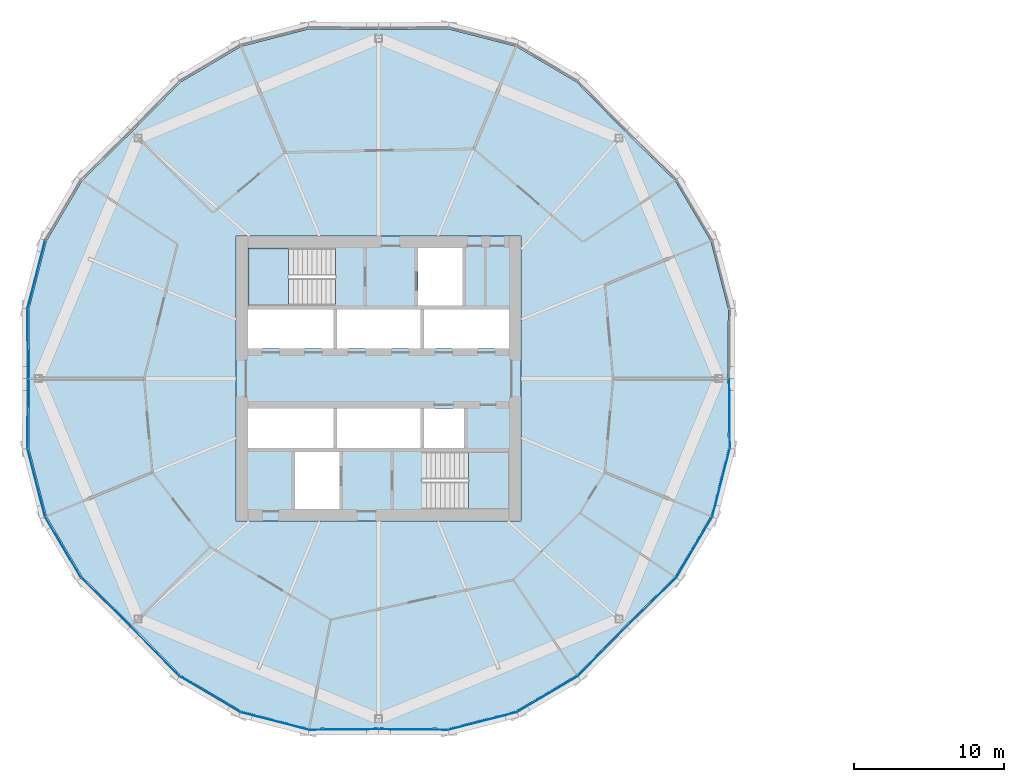
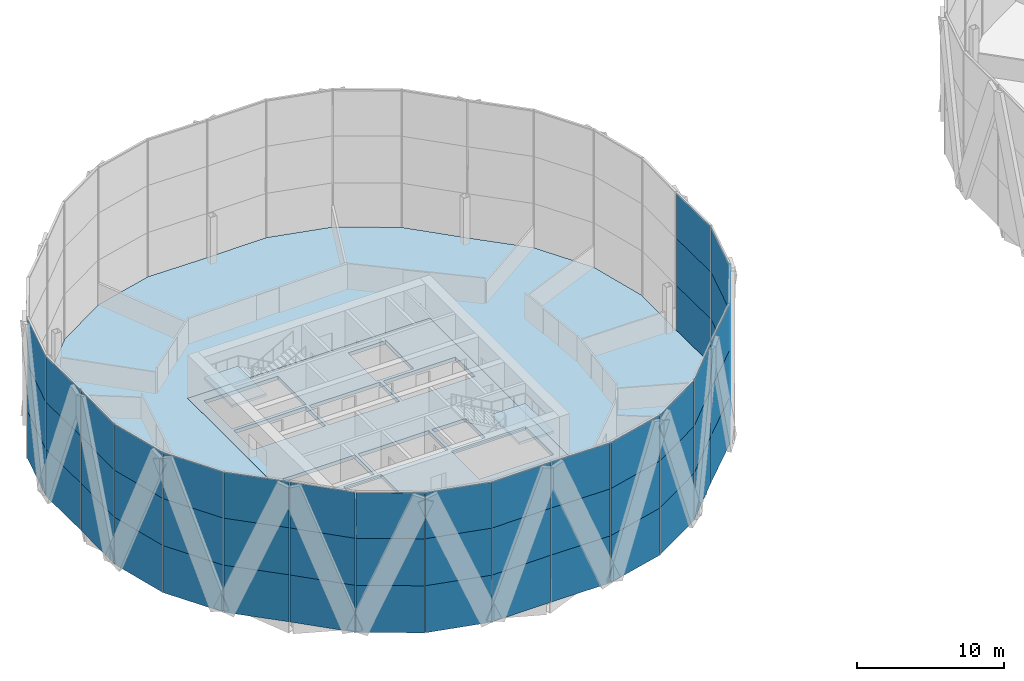
# One storey, part 16 of 26: 54 plates, 4 slabs, 7 elements without a shape of their own.
"""IFC4 building model written with IfcOpenShell, lengths in metres."""

from ifc_helpers import new_model, si_unit, direction, frame, origin, origin_2d, place, context, subcontext, project, spatial, polyline, rectangle, outline, extrude, material, layer, layer_set, type_object, element, aggregate, save


model = new_model("IFC4")

# Units and contexts
model_context = context("Model", 3, precision=1e-05, world=origin(), true_north=direction((0.0, 1.0)))
body_context = subcontext(model_context, "Body", "Model", "MODEL_VIEW")
ifc_project = project(units=[si_unit("LENGTHUNIT", "METRE"), si_unit("AREAUNIT", "SQUARE_METRE"), si_unit("VOLUMEUNIT", "CUBIC_METRE"), si_unit("PLANEANGLEUNIT", "RADIAN"), si_unit("MASSUNIT", "GRAM", prefix="KILO")], contexts=[model_context])

# Site, building, storey
site_placement = place(None, origin())
site = spatial("IfcSite", under=ifc_project, at=site_placement, CompositionType="ELEMENT")
building_placement = place(site_placement, origin())
building = spatial("IfcBuilding", under=site, at=building_placement, Name="Ogive Gate Towers", CompositionType="ELEMENT")
storey_placement = place(building_placement, frame((0.0, 0.0, 87.89990234375)))
storey = spatial("IfcBuildingStorey", under=building, at=storey_placement, Name="L20", CompositionType="ELEMENT", Elevation=87.89990234375)

# Slabs
ifc_material_1 = material(Name="Concrete C40/50", Category="concrete")
ifc_layer_1 = layer(ifc_material_1, 0.300048828125)
ifc_layer_set_1 = layer_set([ifc_layer_1], Name="Core slab C40/50 300 mm")
slab_type_1 = type_object("IfcSlabType", Name="Core slab C40/50 300 mm", PredefinedType="FLOOR", material=ifc_layer_set_1)
slab_1_placement = place(storey_placement, frame((0.0, 0.0, -0.2998046875)))
element("IfcSlab", 1, at=slab_1_placement, inside=storey, type_object=slab_type_1, Name="T1 L20 core slab", PredefinedType="FLOOR", context=body_context, shape_type="SweptSolid", body=[
    extrude(outline(polyline([(-26.5, 9.5), (-26.5, -9.5), (-45.5, -9.5), (-45.5, 9.5), (-26.5, 9.5)]), holes=[polyline([(-39.02490234375, 4.625), (-44.699951171875, 4.625), (-44.699951171875, 2.0), (-39.02490234375, 2.0), (-39.02490234375, 4.625)]), polyline([(-33.22509765625, 2.0), (-33.22509765625, 4.625), (-38.77490234375, 4.625), (-38.77490234375, 2.0), (-33.22509765625, 2.0)]), polyline([(-32.97509765625, 2.0), (-27.300048828125, 2.0), (-27.300048828125, 4.625), (-32.97509765625, 4.625), (-32.97509765625, 2.0)]), polyline([(-44.699951171875, -2.0), (-44.699951171875, -4.625), (-39.02490234375, -4.625), (-39.02490234375, -2.0), (-44.699951171875, -2.0)]), polyline([(-33.22509765625, -2.0), (-38.77490234375, -2.0), (-38.77490234375, -4.625), (-33.22509765625, -4.625), (-33.22509765625, -2.0)]), polyline([(-30.324951171875, -4.625), (-30.324951171875, -2.0), (-32.97509765625, -2.0), (-32.97509765625, -4.625), (-30.324951171875, -4.625)]), polyline([(-33.375, 4.875), (-30.425048828125, 4.875), (-30.425048828125, 8.699951171875), (-33.375, 8.699951171875), (-33.375, 4.875)]), polyline([(-41.574951171875, -4.875), (-41.574951171875, -8.699951171875), (-38.625, -8.699951171875), (-38.625, -4.875), (-41.574951171875, -4.875)]), polyline([(-44.699951171875, 4.875), (-38.885009765625, 4.875), (-38.885009765625, 8.699951171875), (-44.699951171875, 8.699951171875), (-44.699951171875, 4.875)]), polyline([(-27.300048828125, -8.699951171875), (-27.300048828125, -4.875), (-33.114990234375, -4.875), (-33.114990234375, -8.699951171875), (-27.300048828125, -8.699951171875)])]), origin(), (0.0, 0.0, 1.0), 0.2998046875),
])
ifc_material_2 = material(Name="Concrete C35/45", Category="concrete")
ifc_layer_2 = layer(ifc_material_2, 0.300048828125)
ifc_layer_set_2 = layer_set([ifc_layer_2], Name="Floor slab 300")
slab_type_2 = type_object("IfcSlabType", Name="Floor slab 300", PredefinedType="FLOOR", material=ifc_layer_set_2)
slab_2_placement = place(storey_placement, frame((0.0, 0.0, -0.2998046875)))
element("IfcSlab", 2, at=slab_2_placement, inside=storey, type_object=slab_type_2, Name="T1/L20/SSL001", PredefinedType="FLOOR", context=body_context, shape_type="SweptSolid", body=[
    extrude(outline(polyline([(-12.686767578125, -4.63720703125), (-12.72998046875, 0.0), (-12.686767578125, 4.63720703125), (-13.8544921875, 9.1728515625), (-16.236083984375, 13.205810546875), (-19.545654296875, 16.454345703125), (-22.794189453125, 19.763916015625), (-26.8271484375, 22.1455078125), (-31.36279296875, 23.313232421875), (-36.0, 23.27001953125), (-40.63720703125, 23.313232421875), (-45.1728515625, 22.1455078125), (-49.205810546875, 19.763916015625), (-52.454345703125, 16.454345703125), (-55.763916015625, 13.205810546875), (-58.1455078125, 9.1728515625), (-59.313232421875, 4.63720703125), (-59.27001953125, 0.0), (-59.313232421875, -4.63720703125), (-58.1455078125, -9.1728515625), (-55.763916015625, -13.205810546875), (-52.454345703125, -16.454345703125), (-49.205810546875, -19.763916015625), (-45.1728515625, -22.1455078125), (-40.63720703125, -23.313232421875), (-36.0, -23.27001953125), (-31.36279296875, -23.313232421875), (-26.8271484375, -22.1455078125), (-22.794189453125, -19.763916015625), (-19.545654296875, -16.454345703125), (-16.236083984375, -13.205810546875), (-13.8544921875, -9.1728515625), (-12.686767578125, -4.63720703125)]), holes=[polyline([(-26.5, -9.5), (-45.5, -9.5), (-45.5, 9.5), (-26.5, 9.5), (-26.5, -9.5)])]), origin(), (0.0, 0.0, 1.0), 0.2998046875),
])

# Stair, slab
stair_type = type_object("IfcStairType", Name="Escape stair 1840 wide", PredefinedType="HALF_TURN_STAIR", material=ifc_material_1)
stair_1_placement = place(storey_placement, origin())
stair_1 = element("IfcStair", 3, at=stair_1_placement, inside=storey, type_object=stair_type, Name="L20 Escape stair 1", PredefinedType="HALF_TURN_STAIR")
ifc_layer_3 = layer(ifc_material_1, 0.199951171875)
ifc_layer_set_3 = layer_set([ifc_layer_3], Name="Stair landing 200 mm")
slab_type_3 = type_object("IfcSlabType", Name="Stair landing 200 mm", PredefinedType="LANDING", material=ifc_layer_set_3)
slab_3_placement = place(storey_placement, frame((0.0, 0.0, 1.75)))
slab_3 = element("IfcSlab", 4, at=slab_3_placement, type_object=slab_type_3, Name="ST1 landing 1", PredefinedType="LANDING", context=body_context, shape_type="SweptSolid", body=[
    extrude(outline(polyline([(-42.00146484375, 8.699951171875), (-44.699951171875, 8.699951171875), (-44.699951171875, 4.875), (-42.00146484375, 4.875), (-42.00146484375, 8.699951171875)])), origin(), (0.0, 0.0, 1.0), 0.2001953125),
])
aggregate(stair_1, [slab_3])

stair_2_placement = place(storey_placement, origin())
stair_2 = element("IfcStair", 5, at=stair_2_placement, inside=storey, type_object=stair_type, Name="L20 Escape stair 2", PredefinedType="HALF_TURN_STAIR")
slab_4_placement = place(storey_placement, frame((0.0, 0.0, 1.75)))
slab_4 = element("IfcSlab", 6, at=slab_4_placement, type_object=slab_type_3, Name="ST2 landing 1", PredefinedType="LANDING", context=body_context, shape_type="SweptSolid", body=[
    extrude(outline(polyline([(-29.99853515625, -8.699951171875), (-27.300048828125, -8.699951171875), (-27.300048828125, -4.875), (-29.99853515625, -4.875), (-29.99853515625, -8.699951171875)])), origin(), (0.0, 0.0, 1.0), 0.2001953125),
])
aggregate(stair_2, [slab_4])

# Curtain wall, plates
ifc_material_3 = material(Name="Pale metal aluminium", Category="aluminium")
curtain_wall_type = type_object("IfcCurtainWallType", Name="Tower unitised wall, low zone", PredefinedType="NOTDEFINED", material=ifc_material_3)
curtain_wall_1_placement = place(storey_placement, origin())
curtain_wall_1 = element("IfcCurtainWall", 7, at=curtain_wall_1_placement, inside=storey, type_object=curtain_wall_type, Name="CW1 T1 ECW04", PredefinedType="NOTDEFINED")
ifc_material_4 = material(Name="Clear glass", Category="glass")
ifc_layer_4 = layer(ifc_material_4, 0.028076171875)
ifc_layer_set_4 = layer_set([ifc_layer_4], Name="Tower unitised wall, low zone glass panel")
plate_type = type_object("IfcPlateType", Name="Tower unitised wall, low zone glass panel", PredefinedType="CURTAIN_PANEL", material=ifc_layer_set_4)
plate_1_placement = place(storey_placement, frame((-58.826171875, 6.930419921875, -0.2998046875), z_axis=(0.0, 0.0, 1.0), x_axis=(-0.249349123146, -0.968413658922, 0.0)))
plate_1 = element("IfcPlate", 8, at=plate_1_placement, type_object=plate_type, Name="CW1 glass panel", PredefinedType="CURTAIN_PANEL", context=body_context, shape_type="SweptSolid", body=[
    extrude(rectangle(XDim=4.649169921875, YDim=0.028076171875, at=origin_2d()), origin(), (0.0, 0.0, 1.0), 3.89990234375),
])
plate_2_placement = place(storey_placement, frame((-58.826171875, 6.930419921875, 3.60009765625), z_axis=(0.0, 0.0, 1.0), x_axis=(-0.249349123146, -0.968413658922, 0.0)))
plate_2 = element("IfcPlate", 9, at=plate_2_placement, type_object=plate_type, Name="CW1 glass panel", PredefinedType="CURTAIN_PANEL", context=body_context, shape_type="SweptSolid", body=[
    extrude(rectangle(XDim=4.649169921875, YDim=0.028076171875, at=origin_2d()), origin(), (0.0, 0.0, 1.0), 3.89990234375),
])
plate_3_placement = place(storey_placement, frame((-58.826171875, 6.930419921875, 7.5), z_axis=(0.0, 0.0, 1.0), x_axis=(-0.249349123146, -0.968413658922, 0.0)))
plate_3 = element("IfcPlate", 10, at=plate_3_placement, type_object=plate_type, Name="CW1 glass panel", PredefinedType="CURTAIN_PANEL", context=body_context, shape_type="SweptSolid", body=[
    extrude(rectangle(XDim=4.649169921875, YDim=0.028076171875, at=origin_2d()), origin(), (0.0, 0.0, 1.0), 3.803955078125),
])
plate_4_placement = place(storey_placement, frame((-59.3916015625, 2.32275390625, -0.2998046875), z_axis=(0.0, 0.0, 1.0), x_axis=(0.009337375811, -0.999956405756, 0.0)))
plate_4 = element("IfcPlate", 11, at=plate_4_placement, type_object=plate_type, Name="CW1 glass panel", PredefinedType="CURTAIN_PANEL", context=body_context, shape_type="SweptSolid", body=[
    extrude(rectangle(XDim=4.591796875, YDim=0.028076171875, at=origin_2d()), origin(), (0.0, 0.0, 1.0), 3.89990234375),
])
plate_5_placement = place(storey_placement, frame((-59.3916015625, 2.32275390625, 3.60009765625), z_axis=(0.0, 0.0, 1.0), x_axis=(0.009337375811, -0.999956405756, 0.0)))
plate_5 = element("IfcPlate", 12, at=plate_5_placement, type_object=plate_type, Name="CW1 glass panel", PredefinedType="CURTAIN_PANEL", context=body_context, shape_type="SweptSolid", body=[
    extrude(rectangle(XDim=4.591796875, YDim=0.028076171875, at=origin_2d()), origin(), (0.0, 0.0, 1.0), 3.89990234375),
])
plate_6_placement = place(storey_placement, frame((-59.3916015625, 2.32275390625, 7.5), z_axis=(0.0, 0.0, 1.0), x_axis=(0.009337375811, -0.999956405756, 0.0)))
plate_6 = element("IfcPlate", 13, at=plate_6_placement, type_object=plate_type, Name="CW1 glass panel", PredefinedType="CURTAIN_PANEL", context=body_context, shape_type="SweptSolid", body=[
    extrude(rectangle(XDim=4.591796875, YDim=0.028076171875, at=origin_2d()), origin(), (0.0, 0.0, 1.0), 3.803955078125),
])
aggregate(curtain_wall_1, [plate_1, plate_2, plate_3, plate_4, plate_5, plate_6])

curtain_wall_2_placement = place(storey_placement, origin())
curtain_wall_2 = element("IfcCurtainWall", 14, at=curtain_wall_2_placement, inside=storey, type_object=curtain_wall_type, Name="CW1 T1 ECW05", PredefinedType="NOTDEFINED")
plate_7_placement = place(storey_placement, frame((-59.3916015625, -2.32275390625, -0.2998046875), z_axis=(0.0, 0.0, 1.0), x_axis=(-0.009337375811, -0.999956405756, 0.0)))
plate_7 = element("IfcPlate", 15, at=plate_7_placement, type_object=plate_type, Name="CW1 glass panel", PredefinedType="CURTAIN_PANEL", context=body_context, shape_type="SweptSolid", body=[
    extrude(rectangle(XDim=4.591796875, YDim=0.028076171875, at=origin_2d()), origin(), (0.0, 0.0, 1.0), 3.89990234375),
])
plate_8_placement = place(storey_placement, frame((-59.3916015625, -2.32275390625, 3.60009765625), z_axis=(0.0, 0.0, 1.0), x_axis=(-0.009337375811, -0.999956405756, 0.0)))
plate_8 = element("IfcPlate", 16, at=plate_8_placement, type_object=plate_type, Name="CW1 glass panel", PredefinedType="CURTAIN_PANEL", context=body_context, shape_type="SweptSolid", body=[
    extrude(rectangle(XDim=4.591796875, YDim=0.028076171875, at=origin_2d()), origin(), (0.0, 0.0, 1.0), 3.89990234375),
])
plate_9_placement = place(storey_placement, frame((-59.3916015625, -2.32275390625, 7.5), z_axis=(0.0, 0.0, 1.0), x_axis=(-0.009337375811, -0.999956405756, 0.0)))
plate_9 = element("IfcPlate", 17, at=plate_9_placement, type_object=plate_type, Name="CW1 glass panel", PredefinedType="CURTAIN_PANEL", context=body_context, shape_type="SweptSolid", body=[
    extrude(rectangle(XDim=4.591796875, YDim=0.028076171875, at=origin_2d()), origin(), (0.0, 0.0, 1.0), 3.803955078125),
])
plate_10_placement = place(storey_placement, frame((-58.826171875, -6.930419921875, -0.2998046875), z_axis=(0.0, 0.0, 1.0), x_axis=(0.249349123146, -0.968413658922, 0.0)))
plate_10 = element("IfcPlate", 18, at=plate_10_placement, type_object=plate_type, Name="CW1 glass panel", PredefinedType="CURTAIN_PANEL", context=body_context, shape_type="SweptSolid", body=[
    extrude(rectangle(XDim=4.649169921875, YDim=0.028076171875, at=origin_2d()), origin(), (0.0, 0.0, 1.0), 3.89990234375),
])
plate_11_placement = place(storey_placement, frame((-58.826171875, -6.930419921875, 3.60009765625), z_axis=(0.0, 0.0, 1.0), x_axis=(0.249349123146, -0.968413658922, 0.0)))
plate_11 = element("IfcPlate", 19, at=plate_11_placement, type_object=plate_type, Name="CW1 glass panel", PredefinedType="CURTAIN_PANEL", context=body_context, shape_type="SweptSolid", body=[
    extrude(rectangle(XDim=4.649169921875, YDim=0.028076171875, at=origin_2d()), origin(), (0.0, 0.0, 1.0), 3.89990234375),
])
plate_12_placement = place(storey_placement, frame((-58.826171875, -6.930419921875, 7.5), z_axis=(0.0, 0.0, 1.0), x_axis=(0.249349123146, -0.968413658922, 0.0)))
plate_12 = element("IfcPlate", 20, at=plate_12_placement, type_object=plate_type, Name="CW1 glass panel", PredefinedType="CURTAIN_PANEL", context=body_context, shape_type="SweptSolid", body=[
    extrude(rectangle(XDim=4.649169921875, YDim=0.028076171875, at=origin_2d()), origin(), (0.0, 0.0, 1.0), 3.803955078125),
])
plate_13_placement = place(storey_placement, frame((-57.041015625, -11.239990234375, -0.2998046875), z_axis=(0.0, 0.0, 1.0), x_axis=(0.508440380454, -0.861097195167, 0.0)))
plate_13 = element("IfcPlate", 21, at=plate_13_placement, type_object=plate_type, Name="CW1 glass panel", PredefinedType="CURTAIN_PANEL", context=body_context, shape_type="SweptSolid", body=[
    extrude(rectangle(XDim=4.64892578125, YDim=0.028076171875, at=origin_2d()), origin(), (0.0, 0.0, 1.0), 3.89990234375),
])
plate_14_placement = place(storey_placement, frame((-57.041015625, -11.239990234375, 3.60009765625), z_axis=(0.0, 0.0, 1.0), x_axis=(0.508440380454, -0.861097195167, 0.0)))
plate_14 = element("IfcPlate", 22, at=plate_14_placement, type_object=plate_type, Name="CW1 glass panel", PredefinedType="CURTAIN_PANEL", context=body_context, shape_type="SweptSolid", body=[
    extrude(rectangle(XDim=4.64892578125, YDim=0.028076171875, at=origin_2d()), origin(), (0.0, 0.0, 1.0), 3.89990234375),
])
plate_15_placement = place(storey_placement, frame((-57.041015625, -11.239990234375, 7.5), z_axis=(0.0, 0.0, 1.0), x_axis=(0.508440380454, -0.861097195167, 0.0)))
plate_15 = element("IfcPlate", 23, at=plate_15_placement, type_object=plate_type, Name="CW1 glass panel", PredefinedType="CURTAIN_PANEL", context=body_context, shape_type="SweptSolid", body=[
    extrude(rectangle(XDim=4.64892578125, YDim=0.028076171875, at=origin_2d()), origin(), (0.0, 0.0, 1.0), 3.803955078125),
])
plate_16_placement = place(storey_placement, frame((-54.182861328125, -14.89794921875, -0.2998046875), z_axis=(0.0, 0.0, 1.0), x_axis=(0.713678477155, -0.700473433647, 0.0)))
plate_16 = element("IfcPlate", 24, at=plate_16_placement, type_object=plate_type, Name="CW1 glass panel", PredefinedType="CURTAIN_PANEL", context=body_context, shape_type="SweptSolid", body=[
    extrude(rectangle(XDim=4.591796875, YDim=0.028076171875, at=origin_2d()), origin(), (0.0, 0.0, 1.0), 3.89990234375),
])
plate_17_placement = place(storey_placement, frame((-54.182861328125, -14.89794921875, 3.60009765625), z_axis=(0.0, 0.0, 1.0), x_axis=(0.713678477155, -0.700473433647, 0.0)))
plate_17 = element("IfcPlate", 25, at=plate_17_placement, type_object=plate_type, Name="CW1 glass panel", PredefinedType="CURTAIN_PANEL", context=body_context, shape_type="SweptSolid", body=[
    extrude(rectangle(XDim=4.591796875, YDim=0.028076171875, at=origin_2d()), origin(), (0.0, 0.0, 1.0), 3.89990234375),
])
plate_18_placement = place(storey_placement, frame((-54.182861328125, -14.89794921875, 7.5), z_axis=(0.0, 0.0, 1.0), x_axis=(0.713678477155, -0.700473433647, 0.0)))
plate_18 = element("IfcPlate", 26, at=plate_18_placement, type_object=plate_type, Name="CW1 glass panel", PredefinedType="CURTAIN_PANEL", context=body_context, shape_type="SweptSolid", body=[
    extrude(rectangle(XDim=4.591796875, YDim=0.028076171875, at=origin_2d()), origin(), (0.0, 0.0, 1.0), 3.803955078125),
])
aggregate(curtain_wall_2, [plate_7, plate_8, plate_9, plate_10, plate_11, plate_12, plate_13, plate_14, plate_15, plate_16, plate_17, plate_18])

curtain_wall_3_placement = place(storey_placement, origin())
curtain_wall_3 = element("IfcCurtainWall", 27, at=curtain_wall_3_placement, inside=storey, type_object=curtain_wall_type, Name="CW1 T1 ECW06", PredefinedType="NOTDEFINED")
plate_19_placement = place(storey_placement, frame((-50.89794921875, -18.182861328125, -0.2998046875), z_axis=(0.0, 0.0, 1.0), x_axis=(0.700473433647, -0.713678477155, 0.0)))
plate_19 = element("IfcPlate", 28, at=plate_19_placement, type_object=plate_type, Name="CW1 glass panel", PredefinedType="CURTAIN_PANEL", context=body_context, shape_type="SweptSolid", body=[
    extrude(rectangle(XDim=4.591796875, YDim=0.028076171875, at=origin_2d()), origin(), (0.0, 0.0, 1.0), 3.89990234375),
])
plate_20_placement = place(storey_placement, frame((-50.89794921875, -18.182861328125, 3.60009765625), z_axis=(0.0, 0.0, 1.0), x_axis=(0.700473433647, -0.713678477155, 0.0)))
plate_20 = element("IfcPlate", 29, at=plate_20_placement, type_object=plate_type, Name="CW1 glass panel", PredefinedType="CURTAIN_PANEL", context=body_context, shape_type="SweptSolid", body=[
    extrude(rectangle(XDim=4.591796875, YDim=0.028076171875, at=origin_2d()), origin(), (0.0, 0.0, 1.0), 3.89990234375),
])
plate_21_placement = place(storey_placement, frame((-50.89794921875, -18.182861328125, 7.5), z_axis=(0.0, 0.0, 1.0), x_axis=(0.700473433647, -0.713678477155, 0.0)))
plate_21 = element("IfcPlate", 30, at=plate_21_placement, type_object=plate_type, Name="CW1 glass panel", PredefinedType="CURTAIN_PANEL", context=body_context, shape_type="SweptSolid", body=[
    extrude(rectangle(XDim=4.591796875, YDim=0.028076171875, at=origin_2d()), origin(), (0.0, 0.0, 1.0), 3.803955078125),
])
plate_22_placement = place(storey_placement, frame((-47.239990234375, -21.041015625, -0.2998046875), z_axis=(0.0, 0.0, 1.0), x_axis=(0.861097195167, -0.508440380454, 0.0)))
plate_22 = element("IfcPlate", 31, at=plate_22_placement, type_object=plate_type, Name="CW1 glass panel", PredefinedType="CURTAIN_PANEL", context=body_context, shape_type="SweptSolid", body=[
    extrude(rectangle(XDim=4.64892578125, YDim=0.028076171875, at=origin_2d()), origin(), (0.0, 0.0, 1.0), 3.89990234375),
])
plate_23_placement = place(storey_placement, frame((-47.239990234375, -21.041015625, 3.60009765625), z_axis=(0.0, 0.0, 1.0), x_axis=(0.861097195167, -0.508440380454, 0.0)))
plate_23 = element("IfcPlate", 32, at=plate_23_placement, type_object=plate_type, Name="CW1 glass panel", PredefinedType="CURTAIN_PANEL", context=body_context, shape_type="SweptSolid", body=[
    extrude(rectangle(XDim=4.64892578125, YDim=0.028076171875, at=origin_2d()), origin(), (0.0, 0.0, 1.0), 3.89990234375),
])
plate_24_placement = place(storey_placement, frame((-47.239990234375, -21.041015625, 7.5), z_axis=(0.0, 0.0, 1.0), x_axis=(0.861097195167, -0.508440380454, 0.0)))
plate_24 = element("IfcPlate", 33, at=plate_24_placement, type_object=plate_type, Name="CW1 glass panel", PredefinedType="CURTAIN_PANEL", context=body_context, shape_type="SweptSolid", body=[
    extrude(rectangle(XDim=4.64892578125, YDim=0.028076171875, at=origin_2d()), origin(), (0.0, 0.0, 1.0), 3.803955078125),
])
plate_25_placement = place(storey_placement, frame((-42.930419921875, -22.826171875, -0.2998046875), z_axis=(0.0, 0.0, 1.0), x_axis=(0.968413658922, -0.249349123146, 0.0)))
plate_25 = element("IfcPlate", 34, at=plate_25_placement, type_object=plate_type, Name="CW1 glass panel", PredefinedType="CURTAIN_PANEL", context=body_context, shape_type="SweptSolid", body=[
    extrude(rectangle(XDim=4.649169921875, YDim=0.028076171875, at=origin_2d()), origin(), (0.0, 0.0, 1.0), 3.89990234375),
])
plate_26_placement = place(storey_placement, frame((-42.930419921875, -22.826171875, 3.60009765625), z_axis=(0.0, 0.0, 1.0), x_axis=(0.968413658922, -0.249349123146, 0.0)))
plate_26 = element("IfcPlate", 35, at=plate_26_placement, type_object=plate_type, Name="CW1 glass panel", PredefinedType="CURTAIN_PANEL", context=body_context, shape_type="SweptSolid", body=[
    extrude(rectangle(XDim=4.649169921875, YDim=0.028076171875, at=origin_2d()), origin(), (0.0, 0.0, 1.0), 3.89990234375),
])
plate_27_placement = place(storey_placement, frame((-42.930419921875, -22.826171875, 7.5), z_axis=(0.0, 0.0, 1.0), x_axis=(0.968413658922, -0.249349123146, 0.0)))
plate_27 = element("IfcPlate", 36, at=plate_27_placement, type_object=plate_type, Name="CW1 glass panel", PredefinedType="CURTAIN_PANEL", context=body_context, shape_type="SweptSolid", body=[
    extrude(rectangle(XDim=4.649169921875, YDim=0.028076171875, at=origin_2d()), origin(), (0.0, 0.0, 1.0), 3.803955078125),
])
plate_28_placement = place(storey_placement, frame((-38.32275390625, -23.3916015625, -0.2998046875), z_axis=(0.0, 0.0, 1.0), x_axis=(0.999956405756, 0.009337375811, 0.0)))
plate_28 = element("IfcPlate", 37, at=plate_28_placement, type_object=plate_type, Name="CW1 glass panel", PredefinedType="CURTAIN_PANEL", context=body_context, shape_type="SweptSolid", body=[
    extrude(rectangle(XDim=4.591796875, YDim=0.028076171875, at=origin_2d()), origin(), (0.0, 0.0, 1.0), 3.89990234375),
])
plate_29_placement = place(storey_placement, frame((-38.32275390625, -23.3916015625, 3.60009765625), z_axis=(0.0, 0.0, 1.0), x_axis=(0.999956405756, 0.009337375811, 0.0)))
plate_29 = element("IfcPlate", 38, at=plate_29_placement, type_object=plate_type, Name="CW1 glass panel", PredefinedType="CURTAIN_PANEL", context=body_context, shape_type="SweptSolid", body=[
    extrude(rectangle(XDim=4.591796875, YDim=0.028076171875, at=origin_2d()), origin(), (0.0, 0.0, 1.0), 3.89990234375),
])
plate_30_placement = place(storey_placement, frame((-38.32275390625, -23.3916015625, 7.5), z_axis=(0.0, 0.0, 1.0), x_axis=(0.999956405756, 0.009337375811, 0.0)))
plate_30 = element("IfcPlate", 39, at=plate_30_placement, type_object=plate_type, Name="CW1 glass panel", PredefinedType="CURTAIN_PANEL", context=body_context, shape_type="SweptSolid", body=[
    extrude(rectangle(XDim=4.591796875, YDim=0.028076171875, at=origin_2d()), origin(), (0.0, 0.0, 1.0), 3.803955078125),
])
aggregate(curtain_wall_3, [plate_19, plate_20, plate_21, plate_22, plate_23, plate_24, plate_25, plate_26, plate_27, plate_28, plate_29, plate_30])

curtain_wall_4_placement = place(storey_placement, origin())
curtain_wall_4 = element("IfcCurtainWall", 40, at=curtain_wall_4_placement, inside=storey, type_object=curtain_wall_type, Name="CW1 T1 ECW07", PredefinedType="NOTDEFINED")
plate_31_placement = place(storey_placement, frame((-33.67724609375, -23.3916015625, -0.2998046875), z_axis=(0.0, 0.0, 1.0), x_axis=(0.999956405756, -0.009337375811, 0.0)))
plate_31 = element("IfcPlate", 41, at=plate_31_placement, type_object=plate_type, Name="CW1 glass panel", PredefinedType="CURTAIN_PANEL", context=body_context, shape_type="SweptSolid", body=[
    extrude(rectangle(XDim=4.591796875, YDim=0.028076171875, at=origin_2d()), origin(), (0.0, 0.0, 1.0), 3.89990234375),
])
plate_32_placement = place(storey_placement, frame((-33.67724609375, -23.3916015625, 3.60009765625), z_axis=(0.0, 0.0, 1.0), x_axis=(0.999956405756, -0.009337375811, 0.0)))
plate_32 = element("IfcPlate", 42, at=plate_32_placement, type_object=plate_type, Name="CW1 glass panel", PredefinedType="CURTAIN_PANEL", context=body_context, shape_type="SweptSolid", body=[
    extrude(rectangle(XDim=4.591796875, YDim=0.028076171875, at=origin_2d()), origin(), (0.0, 0.0, 1.0), 3.89990234375),
])
plate_33_placement = place(storey_placement, frame((-33.67724609375, -23.3916015625, 7.5), z_axis=(0.0, 0.0, 1.0), x_axis=(0.999956405756, -0.009337375811, 0.0)))
plate_33 = element("IfcPlate", 43, at=plate_33_placement, type_object=plate_type, Name="CW1 glass panel", PredefinedType="CURTAIN_PANEL", context=body_context, shape_type="SweptSolid", body=[
    extrude(rectangle(XDim=4.591796875, YDim=0.028076171875, at=origin_2d()), origin(), (0.0, 0.0, 1.0), 3.803955078125),
])
plate_34_placement = place(storey_placement, frame((-29.069580078125, -22.826171875, -0.2998046875), z_axis=(0.0, 0.0, 1.0), x_axis=(0.968413658922, 0.249349123146, 0.0)))
plate_34 = element("IfcPlate", 44, at=plate_34_placement, type_object=plate_type, Name="CW1 glass panel", PredefinedType="CURTAIN_PANEL", context=body_context, shape_type="SweptSolid", body=[
    extrude(rectangle(XDim=4.649169921875, YDim=0.028076171875, at=origin_2d()), origin(), (0.0, 0.0, 1.0), 3.89990234375),
])
plate_35_placement = place(storey_placement, frame((-29.069580078125, -22.826171875, 3.60009765625), z_axis=(0.0, 0.0, 1.0), x_axis=(0.968413658922, 0.249349123146, 0.0)))
plate_35 = element("IfcPlate", 45, at=plate_35_placement, type_object=plate_type, Name="CW1 glass panel", PredefinedType="CURTAIN_PANEL", context=body_context, shape_type="SweptSolid", body=[
    extrude(rectangle(XDim=4.649169921875, YDim=0.028076171875, at=origin_2d()), origin(), (0.0, 0.0, 1.0), 3.89990234375),
])
plate_36_placement = place(storey_placement, frame((-29.069580078125, -22.826171875, 7.5), z_axis=(0.0, 0.0, 1.0), x_axis=(0.968413658922, 0.249349123146, 0.0)))
plate_36 = element("IfcPlate", 46, at=plate_36_placement, type_object=plate_type, Name="CW1 glass panel", PredefinedType="CURTAIN_PANEL", context=body_context, shape_type="SweptSolid", body=[
    extrude(rectangle(XDim=4.649169921875, YDim=0.028076171875, at=origin_2d()), origin(), (0.0, 0.0, 1.0), 3.803955078125),
])
plate_37_placement = place(storey_placement, frame((-24.760009765625, -21.041015625, -0.2998046875), z_axis=(0.0, 0.0, 1.0), x_axis=(0.861097195167, 0.508440380454, 0.0)))
plate_37 = element("IfcPlate", 47, at=plate_37_placement, type_object=plate_type, Name="CW1 glass panel", PredefinedType="CURTAIN_PANEL", context=body_context, shape_type="SweptSolid", body=[
    extrude(rectangle(XDim=4.64892578125, YDim=0.028076171875, at=origin_2d()), origin(), (0.0, 0.0, 1.0), 3.89990234375),
])
plate_38_placement = place(storey_placement, frame((-24.760009765625, -21.041015625, 3.60009765625), z_axis=(0.0, 0.0, 1.0), x_axis=(0.861097195167, 0.508440380454, 0.0)))
plate_38 = element("IfcPlate", 48, at=plate_38_placement, type_object=plate_type, Name="CW1 glass panel", PredefinedType="CURTAIN_PANEL", context=body_context, shape_type="SweptSolid", body=[
    extrude(rectangle(XDim=4.64892578125, YDim=0.028076171875, at=origin_2d()), origin(), (0.0, 0.0, 1.0), 3.89990234375),
])
plate_39_placement = place(storey_placement, frame((-24.760009765625, -21.041015625, 7.5), z_axis=(0.0, 0.0, 1.0), x_axis=(0.861097195167, 0.508440380454, 0.0)))
plate_39 = element("IfcPlate", 49, at=plate_39_placement, type_object=plate_type, Name="CW1 glass panel", PredefinedType="CURTAIN_PANEL", context=body_context, shape_type="SweptSolid", body=[
    extrude(rectangle(XDim=4.64892578125, YDim=0.028076171875, at=origin_2d()), origin(), (0.0, 0.0, 1.0), 3.803955078125),
])
plate_40_placement = place(storey_placement, frame((-21.10205078125, -18.182861328125, -0.2998046875), z_axis=(0.0, 0.0, 1.0), x_axis=(0.700473433647, 0.713678477155, 0.0)))
plate_40 = element("IfcPlate", 50, at=plate_40_placement, type_object=plate_type, Name="CW1 glass panel", PredefinedType="CURTAIN_PANEL", context=body_context, shape_type="SweptSolid", body=[
    extrude(rectangle(XDim=4.591796875, YDim=0.028076171875, at=origin_2d()), origin(), (0.0, 0.0, 1.0), 3.89990234375),
])
plate_41_placement = place(storey_placement, frame((-21.10205078125, -18.182861328125, 3.60009765625), z_axis=(0.0, 0.0, 1.0), x_axis=(0.700473433647, 0.713678477155, 0.0)))
plate_41 = element("IfcPlate", 51, at=plate_41_placement, type_object=plate_type, Name="CW1 glass panel", PredefinedType="CURTAIN_PANEL", context=body_context, shape_type="SweptSolid", body=[
    extrude(rectangle(XDim=4.591796875, YDim=0.028076171875, at=origin_2d()), origin(), (0.0, 0.0, 1.0), 3.89990234375),
])
plate_42_placement = place(storey_placement, frame((-21.10205078125, -18.182861328125, 7.5), z_axis=(0.0, 0.0, 1.0), x_axis=(0.700473433647, 0.713678477155, 0.0)))
plate_42 = element("IfcPlate", 52, at=plate_42_placement, type_object=plate_type, Name="CW1 glass panel", PredefinedType="CURTAIN_PANEL", context=body_context, shape_type="SweptSolid", body=[
    extrude(rectangle(XDim=4.591796875, YDim=0.028076171875, at=origin_2d()), origin(), (0.0, 0.0, 1.0), 3.803955078125),
])
aggregate(curtain_wall_4, [plate_31, plate_32, plate_33, plate_34, plate_35, plate_36, plate_37, plate_38, plate_39, plate_40, plate_41, plate_42])

curtain_wall_5_placement = place(storey_placement, origin())
curtain_wall_5 = element("IfcCurtainWall", 53, at=curtain_wall_5_placement, inside=storey, type_object=curtain_wall_type, Name="CW1 T1 ECW08", PredefinedType="NOTDEFINED")
plate_43_placement = place(storey_placement, frame((-17.817138671875, -14.89794921875, -0.2998046875), z_axis=(0.0, 0.0, 1.0), x_axis=(0.713678477155, 0.700473433647, 0.0)))
plate_43 = element("IfcPlate", 54, at=plate_43_placement, type_object=plate_type, Name="CW1 glass panel", PredefinedType="CURTAIN_PANEL", context=body_context, shape_type="SweptSolid", body=[
    extrude(rectangle(XDim=4.591796875, YDim=0.028076171875, at=origin_2d()), origin(), (0.0, 0.0, 1.0), 3.89990234375),
])
plate_44_placement = place(storey_placement, frame((-17.817138671875, -14.89794921875, 3.60009765625), z_axis=(0.0, 0.0, 1.0), x_axis=(0.713678477155, 0.700473433647, 0.0)))
plate_44 = element("IfcPlate", 55, at=plate_44_placement, type_object=plate_type, Name="CW1 glass panel", PredefinedType="CURTAIN_PANEL", context=body_context, shape_type="SweptSolid", body=[
    extrude(rectangle(XDim=4.591796875, YDim=0.028076171875, at=origin_2d()), origin(), (0.0, 0.0, 1.0), 3.89990234375),
])
plate_45_placement = place(storey_placement, frame((-17.817138671875, -14.89794921875, 7.5), z_axis=(0.0, 0.0, 1.0), x_axis=(0.713678477155, 0.700473433647, 0.0)))
plate_45 = element("IfcPlate", 56, at=plate_45_placement, type_object=plate_type, Name="CW1 glass panel", PredefinedType="CURTAIN_PANEL", context=body_context, shape_type="SweptSolid", body=[
    extrude(rectangle(XDim=4.591796875, YDim=0.028076171875, at=origin_2d()), origin(), (0.0, 0.0, 1.0), 3.803955078125),
])
plate_46_placement = place(storey_placement, frame((-14.958984375, -11.239990234375, -0.2998046875), z_axis=(0.0, 0.0, 1.0), x_axis=(0.508440380454, 0.861097195167, 0.0)))
plate_46 = element("IfcPlate", 57, at=plate_46_placement, type_object=plate_type, Name="CW1 glass panel", PredefinedType="CURTAIN_PANEL", context=body_context, shape_type="SweptSolid", body=[
    extrude(rectangle(XDim=4.64892578125, YDim=0.028076171875, at=origin_2d()), origin(), (0.0, 0.0, 1.0), 3.89990234375),
])
plate_47_placement = place(storey_placement, frame((-14.958984375, -11.239990234375, 3.60009765625), z_axis=(0.0, 0.0, 1.0), x_axis=(0.508440380454, 0.861097195167, 0.0)))
plate_47 = element("IfcPlate", 58, at=plate_47_placement, type_object=plate_type, Name="CW1 glass panel", PredefinedType="CURTAIN_PANEL", context=body_context, shape_type="SweptSolid", body=[
    extrude(rectangle(XDim=4.64892578125, YDim=0.028076171875, at=origin_2d()), origin(), (0.0, 0.0, 1.0), 3.89990234375),
])
plate_48_placement = place(storey_placement, frame((-14.958984375, -11.239990234375, 7.5), z_axis=(0.0, 0.0, 1.0), x_axis=(0.508440380454, 0.861097195167, 0.0)))
plate_48 = element("IfcPlate", 59, at=plate_48_placement, type_object=plate_type, Name="CW1 glass panel", PredefinedType="CURTAIN_PANEL", context=body_context, shape_type="SweptSolid", body=[
    extrude(rectangle(XDim=4.64892578125, YDim=0.028076171875, at=origin_2d()), origin(), (0.0, 0.0, 1.0), 3.803955078125),
])
plate_49_placement = place(storey_placement, frame((-13.173828125, -6.930419921875, -0.2998046875), z_axis=(0.0, 0.0, 1.0), x_axis=(0.249349123146, 0.968413658922, 0.0)))
plate_49 = element("IfcPlate", 60, at=plate_49_placement, type_object=plate_type, Name="CW1 glass panel", PredefinedType="CURTAIN_PANEL", context=body_context, shape_type="SweptSolid", body=[
    extrude(rectangle(XDim=4.649169921875, YDim=0.028076171875, at=origin_2d()), origin(), (0.0, 0.0, 1.0), 3.89990234375),
])
plate_50_placement = place(storey_placement, frame((-13.173828125, -6.930419921875, 3.60009765625), z_axis=(0.0, 0.0, 1.0), x_axis=(0.249349123146, 0.968413658922, 0.0)))
plate_50 = element("IfcPlate", 61, at=plate_50_placement, type_object=plate_type, Name="CW1 glass panel", PredefinedType="CURTAIN_PANEL", context=body_context, shape_type="SweptSolid", body=[
    extrude(rectangle(XDim=4.649169921875, YDim=0.028076171875, at=origin_2d()), origin(), (0.0, 0.0, 1.0), 3.89990234375),
])
plate_51_placement = place(storey_placement, frame((-13.173828125, -6.930419921875, 7.5), z_axis=(0.0, 0.0, 1.0), x_axis=(0.249349123146, 0.968413658922, 0.0)))
plate_51 = element("IfcPlate", 62, at=plate_51_placement, type_object=plate_type, Name="CW1 glass panel", PredefinedType="CURTAIN_PANEL", context=body_context, shape_type="SweptSolid", body=[
    extrude(rectangle(XDim=4.649169921875, YDim=0.028076171875, at=origin_2d()), origin(), (0.0, 0.0, 1.0), 3.803955078125),
])
plate_52_placement = place(storey_placement, frame((-12.6083984375, -2.32275390625, -0.2998046875), z_axis=(0.0, 0.0, 1.0), x_axis=(-0.009337375811, 0.999956405756, 0.0)))
plate_52 = element("IfcPlate", 63, at=plate_52_placement, type_object=plate_type, Name="CW1 glass panel", PredefinedType="CURTAIN_PANEL", context=body_context, shape_type="SweptSolid", body=[
    extrude(rectangle(XDim=4.591796875, YDim=0.028076171875, at=origin_2d()), origin(), (0.0, 0.0, 1.0), 3.89990234375),
])
plate_53_placement = place(storey_placement, frame((-12.6083984375, -2.32275390625, 3.60009765625), z_axis=(0.0, 0.0, 1.0), x_axis=(-0.009337375811, 0.999956405756, 0.0)))
plate_53 = element("IfcPlate", 64, at=plate_53_placement, type_object=plate_type, Name="CW1 glass panel", PredefinedType="CURTAIN_PANEL", context=body_context, shape_type="SweptSolid", body=[
    extrude(rectangle(XDim=4.591796875, YDim=0.028076171875, at=origin_2d()), origin(), (0.0, 0.0, 1.0), 3.89990234375),
])
plate_54_placement = place(storey_placement, frame((-12.6083984375, -2.32275390625, 7.5), z_axis=(0.0, 0.0, 1.0), x_axis=(-0.009337375811, 0.999956405756, 0.0)))
plate_54 = element("IfcPlate", 65, at=plate_54_placement, type_object=plate_type, Name="CW1 glass panel", PredefinedType="CURTAIN_PANEL", context=body_context, shape_type="SweptSolid", body=[
    extrude(rectangle(XDim=4.591796875, YDim=0.028076171875, at=origin_2d()), origin(), (0.0, 0.0, 1.0), 3.803955078125),
])
aggregate(curtain_wall_5, [plate_43, plate_44, plate_45, plate_46, plate_47, plate_48, plate_49, plate_50, plate_51, plate_52, plate_53, plate_54])

save(model, "model.ifc")
